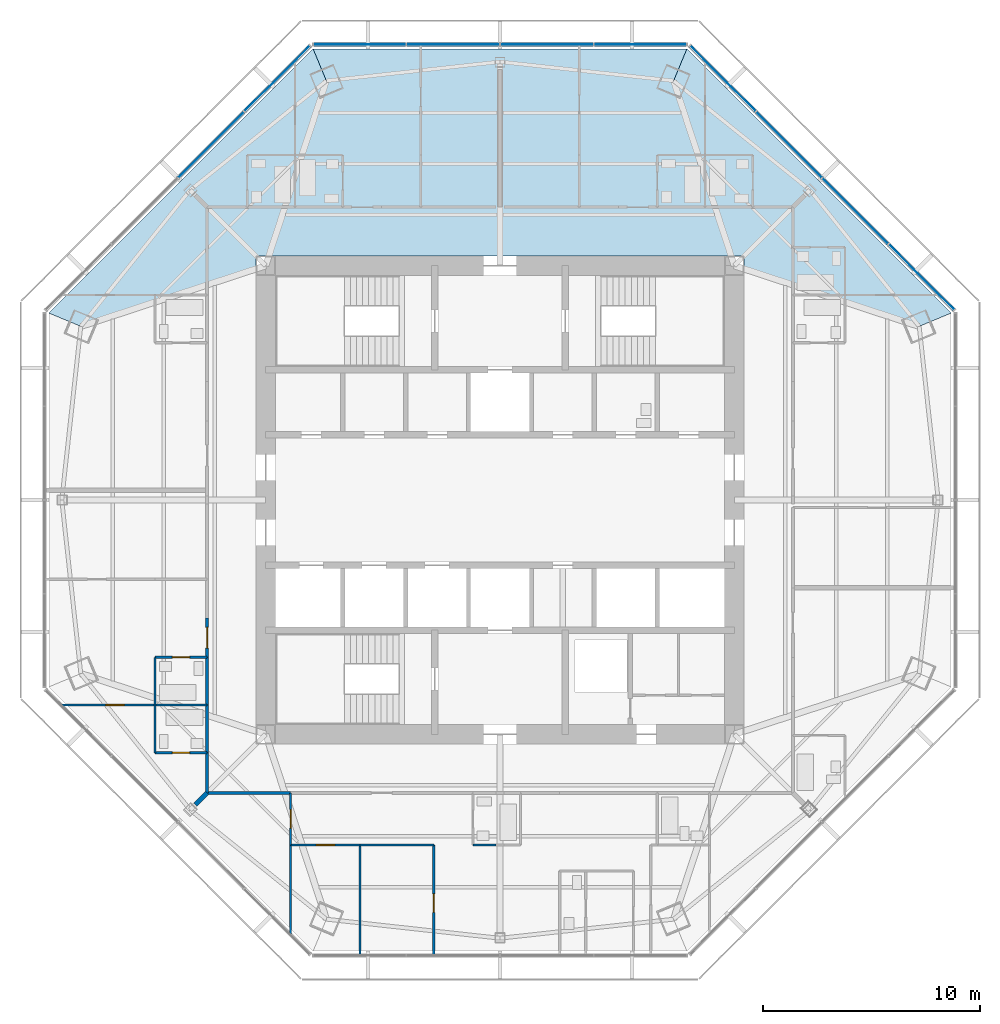
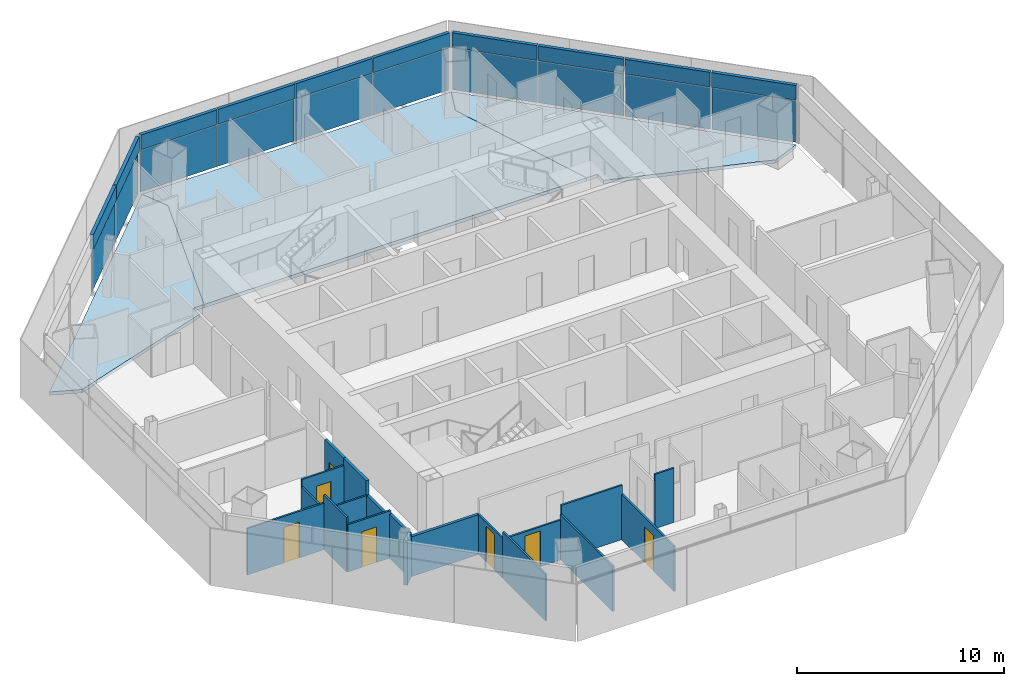
# One storey, part 8 of 15: 20 plates, 19 walls, 7 doors, 3 slabs, 7 openings, 3 elements without a shape of their own.
"""IFC4 building model written with IfcOpenShell, lengths in metres."""

from ifc_helpers import new_model, si_unit, direction, frame, frame_2d, origin, origin_2d, place, context, subcontext, project, spatial, polyline, rectangle, outline, extrude, source, transform, mapped, material, layer, layer_set, type_object, type_shapes, element, fill, aggregate, save


model = new_model("IFC4")

# Units and contexts
model_context = context("Model", 3, precision=1e-05, world=origin(), true_north=direction((0.0, 1.0)))
body_context = subcontext(model_context, "Body", "Model", "MODEL_VIEW")
ifc_project = project(units=[si_unit("LENGTHUNIT", "METRE"), si_unit("AREAUNIT", "SQUARE_METRE"), si_unit("VOLUMEUNIT", "CUBIC_METRE"), si_unit("PLANEANGLEUNIT", "RADIAN"), si_unit("MASSUNIT", "GRAM", prefix="KILO")], contexts=[model_context])

# Site, building, storey
site_placement = place(None, origin())
site = spatial("IfcSite", under=ifc_project, at=site_placement, CompositionType="ELEMENT")
building_placement = place(site_placement, origin())
building = spatial("IfcBuilding", under=site, at=building_placement, Name="Mashrafa Tower", CompositionType="ELEMENT")
storey_placement = place(building_placement, frame((0.0, 0.0, 248.199951171875)))
storey = spatial("IfcBuildingStorey", under=building, at=storey_placement, Name="L59", CompositionType="ELEMENT", Elevation=248.199951171875)

# Slabs
ifc_material_1 = material(Name="Concrete C35/45", Category="concrete")
ifc_layer_1 = layer(ifc_material_1, 0.199951171875)
ifc_layer_set_1 = layer_set([ifc_layer_1], Name="Floor slab 200")
slab_type = type_object("IfcSlabType", Name="Floor slab 200", PredefinedType="FLOOR", material=ifc_layer_set_1)
slab_1_placement = place(storey_placement, frame((0.0, 0.0, -0.199951171875)))
element("IfcSlab", 1, at=slab_1_placement, inside=storey, type_object=slab_type, Name="Floor slab L59 north-east bay", PredefinedType="FLOOR", context=body_context, shape_type="SweptSolid", body=[
    extrude(outline(polyline([(20.79345703125, 8.613037109375), (19.32080078125, 8.0029296875), (11.25, 10.65234375), (11.25, 11.25), (10.65234375, 11.25), (8.0029296875, 19.32080078125), (8.613037109375, 20.79345703125), (20.79345703125, 8.613037109375)])), origin(), (0.0, 0.0, 1.0), 0.199951171875),
])
slab_2_placement = place(storey_placement, frame((0.0, 0.0, -0.199951171875)))
element("IfcSlab", 2, at=slab_2_placement, inside=storey, type_object=slab_type, Name="Floor slab L59 north bay", PredefinedType="FLOOR", context=body_context, shape_type="SweptSolid", body=[
    extrude(outline(polyline([(-8.613037109375, 20.79345703125), (8.613037109375, 20.79345703125), (8.613037109375, 20.79345703125), (8.0029296875, 19.32080078125), (10.65234375, 11.25), (-10.65234375, 11.25), (-8.0029296875, 19.32080078125), (-8.613037109375, 20.79345703125), (-8.613037109375, 20.79345703125)])), origin(), (0.0, 0.0, 1.0), 0.199951171875),
])
slab_3_placement = place(storey_placement, frame((0.0, 0.0, -0.199951171875)))
element("IfcSlab", 3, at=slab_3_placement, inside=storey, type_object=slab_type, Name="Floor slab L59 north-west bay", PredefinedType="FLOOR", context=body_context, shape_type="SweptSolid", body=[
    extrude(outline(polyline([(-8.613037109375, 20.79345703125), (-8.0029296875, 19.32080078125), (-10.65234375, 11.25), (-11.25, 11.25), (-11.25, 10.65234375), (-19.32080078125, 8.0029296875), (-20.79345703125, 8.613037109375), (-8.613037109375, 20.79345703125)])), origin(), (0.0, 0.0, 1.0), 0.199951171875),
])

# Curtain wall, plates
ifc_material_2 = material(Name="Unitised aluminium curtain wall", Category="aluminium")
curtain_wall_type = type_object("IfcCurtainWallType", Name="Apartment curtain wall, zone 3 CW-C 180 deep", PredefinedType="NOTDEFINED", material=ifc_material_2)
curtain_wall_1_placement = place(storey_placement, origin())
curtain_wall_1 = element("IfcCurtainWall", 4, at=curtain_wall_1_placement, inside=storey, type_object=curtain_wall_type, Name="Apartment curtain wall, zone 3 L59 north-east", PredefinedType="NOTDEFINED")
ifc_material_3 = material(Name="Insulated double glazing, acoustic", Category="glass")
ifc_layer_2 = layer(ifc_material_3, 0.028076171875)
ifc_layer_set_2 = layer_set([ifc_layer_2], Name="Vision panel CW-C 28")
plate_type_1 = type_object("IfcPlateType", Name="Vision panel CW-C 28", PredefinedType="CURTAIN_PANEL", material=ifc_layer_set_2)
shared_shape_1 = source(origin(), body_context, "Body", "SweptSolid", [
    extrude(rectangle(XDim=4.234375, YDim=0.028076171875, at=origin_2d()), origin(), (0.0, 0.0, 1.0), 2.46240234375),
])
plate_1_placement = place(storey_placement, frame((19.420654296875, 10.268798828125, 0.0), z_axis=(0.0, 0.0, 1.0), x_axis=(-0.707106781187, 0.707106781187, 0.0)))
plate_1 = element("IfcPlate", 5, at=plate_1_placement, type_object=plate_type_1, Name="CW-C vision panel 1", PredefinedType="CURTAIN_PANEL", context=body_context, shape_type="MappedRepresentation", body=[
    mapped(shared_shape_1, transform((0.0, 0.0, 0.0))),
])
plate_2_placement = place(storey_placement, frame((10.268798828125, 19.420654296875, 0.0), z_axis=(0.0, 0.0, 1.0), x_axis=(-0.707106781187, 0.707106781187, 0.0)))
plate_2 = element("IfcPlate", 6, at=plate_2_placement, type_object=plate_type_1, Name="CW-C vision panel 4", PredefinedType="CURTAIN_PANEL", context=body_context, shape_type="MappedRepresentation", body=[
    mapped(shared_shape_1, transform((0.0, 0.0, 0.0))),
])

curtain_wall_2_placement = place(storey_placement, origin())
curtain_wall_2 = element("IfcCurtainWall", 7, at=curtain_wall_2_placement, inside=storey, type_object=curtain_wall_type, Name="Apartment curtain wall, zone 3 L59 north", PredefinedType="NOTDEFINED")
plate_3_placement = place(storey_placement, frame((6.471435546875, 20.993408203125, 0.0), z_axis=(0.0, 0.0, 1.0), x_axis=(-1.0, 0.0, 0.0)))
plate_3 = element("IfcPlate", 8, at=plate_3_placement, type_object=plate_type_1, Name="CW-C vision panel 1", PredefinedType="CURTAIN_PANEL", context=body_context, shape_type="MappedRepresentation", body=[
    mapped(shared_shape_1, transform((0.0, 0.0, 0.0))),
])
plate_4_placement = place(storey_placement, frame((-6.471435546875, 20.993408203125, 0.0), z_axis=(0.0, 0.0, 1.0), x_axis=(-1.0, 0.0, 0.0)))
plate_4 = element("IfcPlate", 9, at=plate_4_placement, type_object=plate_type_1, Name="CW-C vision panel 4", PredefinedType="CURTAIN_PANEL", context=body_context, shape_type="MappedRepresentation", body=[
    mapped(shared_shape_1, transform((0.0, 0.0, 0.0))),
])

# Curtain wall, plate
curtain_wall_3_placement = place(storey_placement, origin())
curtain_wall_3 = element("IfcCurtainWall", 10, at=curtain_wall_3_placement, inside=storey, type_object=curtain_wall_type, Name="Apartment curtain wall, zone 3 L59 north-west", PredefinedType="NOTDEFINED")
plate_5_placement = place(storey_placement, frame((-10.268798828125, 19.420654296875, 0.0), z_axis=(0.0, 0.0, 1.0), x_axis=(-0.707106781187, -0.707106781187, 0.0)))
plate_5 = element("IfcPlate", 11, at=plate_5_placement, type_object=plate_type_1, Name="CW-C vision panel 1", PredefinedType="CURTAIN_PANEL", context=body_context, shape_type="MappedRepresentation", body=[
    mapped(shared_shape_1, transform((0.0, 0.0, 0.0))),
])

# Plate
ifc_material_4 = material(Name="Insulated bronze aluminium spandrel panel", Category="aluminium")
ifc_layer_3 = layer(ifc_material_4, 0.179931640625)
ifc_layer_set_3 = layer_set([ifc_layer_3], Name="Spandrel panel CW-C 180")
plate_type_2 = type_object("IfcPlateType", Name="Spandrel panel CW-C 180", PredefinedType="CURTAIN_PANEL", material=ifc_layer_set_3)
shared_shape_2 = source(origin(), body_context, "Body", "SweptSolid", [
    extrude(rectangle(XDim=4.234375, YDim=0.179931640625, at=origin_2d()), origin(), (0.0, 0.0, 1.0), 0.862548828125),
])
plate_6_placement = place(storey_placement, frame((19.420654296875, 10.268798828125, 2.53759765625), z_axis=(0.0, 0.0, 1.0), x_axis=(-0.707106781187, 0.707106781187, 0.0)))
plate_6 = element("IfcPlate", 12, at=plate_6_placement, type_object=plate_type_2, Name="CW-C spandrel panel 1", PredefinedType="CURTAIN_PANEL", context=body_context, shape_type="MappedRepresentation", body=[
    mapped(shared_shape_2, transform((0.0, 0.0, 0.0))),
])

plate_7_placement = place(storey_placement, frame((10.268798828125, 19.420654296875, 2.53759765625), z_axis=(0.0, 0.0, 1.0), x_axis=(-0.707106781187, 0.707106781187, 0.0)))
plate_7 = element("IfcPlate", 13, at=plate_7_placement, type_object=plate_type_2, Name="CW-C spandrel panel 4", PredefinedType="CURTAIN_PANEL", context=body_context, shape_type="MappedRepresentation", body=[
    mapped(shared_shape_2, transform((0.0, 0.0, 0.0))),
])

plate_8_placement = place(storey_placement, frame((6.471435546875, 20.993408203125, 2.53759765625), z_axis=(0.0, 0.0, 1.0), x_axis=(-1.0, 0.0, 0.0)))
plate_8 = element("IfcPlate", 14, at=plate_8_placement, type_object=plate_type_2, Name="CW-C spandrel panel 1", PredefinedType="CURTAIN_PANEL", context=body_context, shape_type="MappedRepresentation", body=[
    mapped(shared_shape_2, transform((0.0, 0.0, 0.0))),
])

plate_9_placement = place(storey_placement, frame((-6.471435546875, 20.993408203125, 2.53759765625), z_axis=(0.0, 0.0, 1.0), x_axis=(-1.0, 0.0, 0.0)))
plate_9 = element("IfcPlate", 15, at=plate_9_placement, type_object=plate_type_2, Name="CW-C spandrel panel 4", PredefinedType="CURTAIN_PANEL", context=body_context, shape_type="MappedRepresentation", body=[
    mapped(shared_shape_2, transform((0.0, 0.0, 0.0))),
])

plate_10_placement = place(storey_placement, frame((-10.268798828125, 19.420654296875, 2.53759765625), z_axis=(0.0, 0.0, 1.0), x_axis=(-0.707106781187, -0.707106781187, 0.0)))
plate_10 = element("IfcPlate", 16, at=plate_10_placement, type_object=plate_type_2, Name="CW-C spandrel panel 1", PredefinedType="CURTAIN_PANEL", context=body_context, shape_type="MappedRepresentation", body=[
    mapped(shared_shape_2, transform((0.0, 0.0, 0.0))),
])

shared_shape_3 = source(origin(), body_context, "Body", "SweptSolid", [
    extrude(rectangle(XDim=4.26416015625, YDim=0.028076171875, at=origin_2d()), origin(), (0.0, 0.0, 1.0), 2.46240234375),
])
type_shapes(plate_type_1, [shared_shape_1, shared_shape_3])
plate_11_placement = place(storey_placement, frame((16.37353515625, 13.315673828125, 0.0), z_axis=(0.0, 0.0, 1.0), x_axis=(-0.707106781187, 0.707106781187, 0.0)))
plate_11 = element("IfcPlate", 17, at=plate_11_placement, type_object=plate_type_1, Name="CW-C vision panel 2", PredefinedType="CURTAIN_PANEL", context=body_context, shape_type="MappedRepresentation", body=[
    mapped(shared_shape_3, transform((0.0, 0.0, 0.0))),
])

plate_12_placement = place(storey_placement, frame((13.315673828125, 16.37353515625, 0.0), z_axis=(0.0, 0.0, 1.0), x_axis=(-0.707106781187, 0.707106781187, 0.0)))
plate_12 = element("IfcPlate", 18, at=plate_12_placement, type_object=plate_type_1, Name="CW-C vision panel 3", PredefinedType="CURTAIN_PANEL", context=body_context, shape_type="MappedRepresentation", body=[
    mapped(shared_shape_3, transform((0.0, 0.0, 0.0))),
])

plate_13_placement = place(storey_placement, frame((2.162109375, 20.993408203125, 0.0), z_axis=(0.0, 0.0, 1.0), x_axis=(-1.0, 0.0, 0.0)))
plate_13 = element("IfcPlate", 19, at=plate_13_placement, type_object=plate_type_1, Name="CW-C vision panel 2", PredefinedType="CURTAIN_PANEL", context=body_context, shape_type="MappedRepresentation", body=[
    mapped(shared_shape_3, transform((0.0, 0.0, 0.0))),
])

plate_14_placement = place(storey_placement, frame((-2.162109375, 20.993408203125, 0.0), z_axis=(0.0, 0.0, 1.0), x_axis=(-1.0, 0.0, 0.0)))
plate_14 = element("IfcPlate", 20, at=plate_14_placement, type_object=plate_type_1, Name="CW-C vision panel 3", PredefinedType="CURTAIN_PANEL", context=body_context, shape_type="MappedRepresentation", body=[
    mapped(shared_shape_3, transform((0.0, 0.0, 0.0))),
])

plate_15_placement = place(storey_placement, frame((-13.315673828125, 16.37353515625, 0.0), z_axis=(0.0, 0.0, 1.0), x_axis=(-0.707106781187, -0.707106781187, 0.0)))
plate_15 = element("IfcPlate", 21, at=plate_15_placement, type_object=plate_type_1, Name="CW-C vision panel 2", PredefinedType="CURTAIN_PANEL", context=body_context, shape_type="MappedRepresentation", body=[
    mapped(shared_shape_3, transform((0.0, 0.0, 0.0))),
])

shared_shape_4 = source(origin(), body_context, "Body", "SweptSolid", [
    extrude(rectangle(XDim=4.26416015625, YDim=0.179931640625, at=origin_2d()), origin(), (0.0, 0.0, 1.0), 0.862548828125),
])
type_shapes(plate_type_2, [shared_shape_2, shared_shape_4])
plate_16_placement = place(storey_placement, frame((16.37353515625, 13.315673828125, 2.53759765625), z_axis=(0.0, 0.0, 1.0), x_axis=(-0.707106781187, 0.707106781187, 0.0)))
plate_16 = element("IfcPlate", 22, at=plate_16_placement, type_object=plate_type_2, Name="CW-C spandrel panel 2", PredefinedType="CURTAIN_PANEL", context=body_context, shape_type="MappedRepresentation", body=[
    mapped(shared_shape_4, transform((0.0, 0.0, 0.0))),
])

plate_17_placement = place(storey_placement, frame((13.315673828125, 16.37353515625, 2.53759765625), z_axis=(0.0, 0.0, 1.0), x_axis=(-0.707106781187, 0.707106781187, 0.0)))
plate_17 = element("IfcPlate", 23, at=plate_17_placement, type_object=plate_type_2, Name="CW-C spandrel panel 3", PredefinedType="CURTAIN_PANEL", context=body_context, shape_type="MappedRepresentation", body=[
    mapped(shared_shape_4, transform((0.0, 0.0, 0.0))),
])

aggregate(curtain_wall_1, [plate_1, plate_6, plate_11, plate_16, plate_12, plate_17, plate_2, plate_7])

plate_18_placement = place(storey_placement, frame((2.162109375, 20.993408203125, 2.53759765625), z_axis=(0.0, 0.0, 1.0), x_axis=(-1.0, 0.0, 0.0)))
plate_18 = element("IfcPlate", 24, at=plate_18_placement, type_object=plate_type_2, Name="CW-C spandrel panel 2", PredefinedType="CURTAIN_PANEL", context=body_context, shape_type="MappedRepresentation", body=[
    mapped(shared_shape_4, transform((0.0, 0.0, 0.0))),
])

plate_19_placement = place(storey_placement, frame((-2.162109375, 20.993408203125, 2.53759765625), z_axis=(0.0, 0.0, 1.0), x_axis=(-1.0, 0.0, 0.0)))
plate_19 = element("IfcPlate", 25, at=plate_19_placement, type_object=plate_type_2, Name="CW-C spandrel panel 3", PredefinedType="CURTAIN_PANEL", context=body_context, shape_type="MappedRepresentation", body=[
    mapped(shared_shape_4, transform((0.0, 0.0, 0.0))),
])

aggregate(curtain_wall_2, [plate_3, plate_8, plate_13, plate_18, plate_14, plate_19, plate_4, plate_9])

plate_20_placement = place(storey_placement, frame((-13.315673828125, 16.37353515625, 2.53759765625), z_axis=(0.0, 0.0, 1.0), x_axis=(-0.707106781187, -0.707106781187, 0.0)))
plate_20 = element("IfcPlate", 26, at=plate_20_placement, type_object=plate_type_2, Name="CW-C spandrel panel 2", PredefinedType="CURTAIN_PANEL", context=body_context, shape_type="MappedRepresentation", body=[
    mapped(shared_shape_4, transform((0.0, 0.0, 0.0))),
])

aggregate(curtain_wall_3, [plate_5, plate_10, plate_15, plate_20])

# Walls
ifc_material_5 = material(Name="Gypsum board on steel studs", Category="steel")
ifc_layer_4 = layer(ifc_material_5, 0.199951171875)
ifc_layer_set_4 = layer_set([ifc_layer_4], Name="Acoustic partition 200 1 hr")
wall_type_1 = type_object("IfcWallType", Name="Acoustic partition 200 1 hr", PredefinedType="PARTITIONING", material=ifc_layer_set_4)
wall_1_placement = place(storey_placement, frame((-14.038330078125, -14.038330078125, 0.0), z_axis=(0.0, 0.0, 1.0), x_axis=(0.707106781187, 0.707106781187, 0.0)))
element("IfcWall", 27, at=wall_1_placement, inside=storey, type_object=wall_type_1, Name="Acoustic wall L59-086", PredefinedType="PARTITIONING", context=body_context, shape_type="SweptSolid", body=[
    extrude(rectangle(XDim=0.76123046875, YDim=0.199951171875, at=frame_2d((0.380615234375, 0.0))), origin(), (0.0, 0.0, 1.0), 2.588134765625),
])
ifc_material_6 = material(Name="Gypsum board on steel studs", Category="steel")
ifc_layer_5 = layer(ifc_material_6, 0.14990234375)
ifc_layer_set_5 = layer_set([ifc_layer_5], Name="Corridor partition 150 1 hr")
wall_type_2 = type_object("IfcWallType", Name="Corridor partition 150 1 hr", PredefinedType="PARTITIONING", material=ifc_layer_set_5)
wall_2_placement = place(storey_placement, frame((-13.5, -9.448974609375, 0.0), z_axis=(0.0, 0.0, 1.0), x_axis=(0.0, -1.0, 0.0)))
element("IfcWall", 28, at=wall_2_placement, inside=storey, type_object=wall_type_2, Name="Corridor wall L59-030", PredefinedType="PARTITIONING", context=body_context, shape_type="SweptSolid", body=[
    extrude(rectangle(XDim=2.201904296875, YDim=0.14990234375, at=frame_2d((1.10107421875, 0.0))), origin(), (0.0, 0.0, 1.0), 2.349365234375),
])
wall_3_placement = place(storey_placement, frame((-13.5, -11.64892578125, 0.0), z_axis=(0.0, 0.0, 1.0), x_axis=(0.0, -1.0, 0.0)))
element("IfcWall", 29, at=wall_3_placement, inside=storey, type_object=wall_type_2, Name="Corridor wall L59-031", PredefinedType="PARTITIONING", context=body_context, shape_type="SweptSolid", body=[
    extrude(rectangle(XDim=1.85107421875, YDim=0.14990234375, at=frame_2d((0.925537109375, 0.0))), origin(), (0.0, 0.0, 1.0), 2.588134765625),
])
wall_4_placement = place(storey_placement, frame((-13.5, -7.2490234375, 0.0), z_axis=(0.0, 0.0, 1.0), x_axis=(0.0, -1.0, 0.0)))
element("IfcWall", 30, at=wall_4_placement, inside=storey, type_object=wall_type_2, Name="Corridor wall L59-032", PredefinedType="PARTITIONING", context=body_context, shape_type="SweptSolid", body=[
    extrude(rectangle(XDim=2.201904296875, YDim=0.14990234375, at=frame_2d((1.10107421875, 0.0))), origin(), (0.0, 0.0, 1.0), 3.199951171875),
])

# Wall, opening, door
wall_5_placement = place(storey_placement, frame((-13.5, -5.448974609375, 0.0), z_axis=(0.0, 0.0, 1.0), x_axis=(0.0, -1.0, 0.0)))
wall_5 = element("IfcWall", 31, at=wall_5_placement, inside=storey, type_object=wall_type_2, Name="Corridor wall L59-037", PredefinedType="PARTITIONING", context=body_context, shape_type="SweptSolid", body=[
    extrude(rectangle(XDim=1.802001953125, YDim=0.14990234375, at=frame_2d((0.90087890625, 0.0))), origin(), (0.0, 0.0, 1.0), 3.199951171875),
])
opening_1_placement = place(wall_5_placement, frame((0.426025390625, 0.0, 0.0)))
opening_1 = element("IfcOpeningElement", 32, at=opening_1_placement, cuts=wall_5, Name="Opening 59.025", PredefinedType="OPENING", context=body_context, shape_type="SweptSolid", body=[
    extrude(rectangle(XDim=0.949951171875, YDim=2.10009765625, at=frame_2d((0.47509765625, 1.050048828125))), frame((0.0, 0.0849609375, 0.0), z_axis=(0.0, -1.0, 0.0), x_axis=(1.0, 0.0, 0.0)), (0.0, 0.0, 1.0), 0.169921875),
])
ifc_material_7 = material(Name="Steel door", Category="steel")
door_type_1 = type_object("IfcDoorType", Name="Residence entrance door 950 x 2100 20 min", OperationType="USERDEFINED", PredefinedType="DOOR", material=ifc_material_7)
door_1_placement = place(opening_1_placement, frame((0.949951171875, 0.0, 0.0), z_axis=(0.0, 0.0, 1.0), x_axis=(-1.0, 0.0, 0.0)))
door_1 = element("IfcDoor", 33, at=door_1_placement, inside=storey, type_object=door_type_1, Name="Apartment 5906 Living Room door", OperationType="SINGLE_SWING_RIGHT", OverallHeight=2.10009765625, OverallWidth=0.949951171875, PredefinedType="DOOR", context=body_context, shape_type="SweptSolid", body=[
    extrude(rectangle(XDim=0.949951171875, YDim=2.10009765625, at=frame_2d((0.47509765625, 1.050048828125))), frame((0.0, 0.02490234375, 0.0), z_axis=(0.0, -1.0, 0.0), x_axis=(1.0, 0.0, 0.0)), (0.0, 0.0, 1.0), 0.050048828125),
])
fill(opening_1, door_1)

# Walls
wall_6_placement = place(storey_placement, frame((-13.5, -13.5, 0.0), z_axis=(0.0, 0.0, 1.0), x_axis=(1.0, 0.0, 0.0)))
element("IfcWall", 34, at=wall_6_placement, inside=storey, type_object=wall_type_2, Name="Corridor wall L59-038", PredefinedType="PARTITIONING", context=body_context, shape_type="SweptSolid", body=[
    extrude(rectangle(XDim=3.85107421875, YDim=0.14990234375, at=frame_2d((1.925537109375, 0.0))), origin(), (0.0, 0.0, 1.0), 2.349365234375),
])
ifc_material_8 = material(Name="Gypsum board on steel studs", Category="steel")
ifc_layer_6 = layer(ifc_material_8, 0.10009765625)
ifc_layer_set_6 = layer_set([ifc_layer_6], Name="Partition 100")
wall_type_3 = type_object("IfcWallType", Name="Partition 100", PredefinedType="PARTITIONING", material=ifc_layer_set_6)
wall_7_placement = place(storey_placement, frame((-15.89990234375, -9.449951171875, 0.0), z_axis=(0.0, 0.0, 1.0), x_axis=(0.0, -1.0, 0.0)))
element("IfcWall", 35, at=wall_7_placement, inside=storey, type_object=wall_type_3, Name="Partition wall L59-082", PredefinedType="PARTITIONING", context=body_context, shape_type="SweptSolid", body=[
    extrude(rectangle(XDim=2.199951171875, YDim=0.10009765625, at=frame_2d((1.10009765625, 0.0))), origin(), (0.0, 0.0, 1.0), 3.199951171875),
])

# Wall, opening, door
wall_8_placement = place(storey_placement, frame((-15.89990234375, -11.64990234375, 0.0), z_axis=(0.0, 0.0, 1.0), x_axis=(1.0, 0.0, 0.0)))
wall_8 = element("IfcWall", 36, at=wall_8_placement, inside=storey, type_object=wall_type_3, Name="Partition wall L59-083", PredefinedType="PARTITIONING", context=body_context, shape_type="SweptSolid", body=[
    extrude(rectangle(XDim=2.39990234375, YDim=0.10009765625, at=frame_2d((1.199951171875, 0.0))), origin(), (0.0, 0.0, 1.0), 2.7861328125),
])
opening_2_placement = place(wall_8_placement, frame((0.800048828125, 0.0, 0.0)))
opening_2 = element("IfcOpeningElement", 37, at=opening_2_placement, cuts=wall_8, Name="Opening 59.021", PredefinedType="OPENING", context=body_context, shape_type="SweptSolid", body=[
    extrude(rectangle(XDim=0.800048828125, YDim=2.10009765625, at=frame_2d((0.39990234375, 1.050048828125))), frame((0.0, 0.06005859375, 0.0), z_axis=(0.0, -1.0, 0.0), x_axis=(1.0, 0.0, 0.0)), (0.0, 0.0, 1.0), 0.1201171875),
])
ifc_material_9 = material(Name="Timber door", Category="wood")
door_type_2 = type_object("IfcDoorType", Name="Bathroom door 800 x 2100", OperationType="USERDEFINED", PredefinedType="DOOR", material=ifc_material_9)
door_2_placement = place(opening_2_placement, origin())
door_2 = element("IfcDoor", 38, at=door_2_placement, inside=storey, type_object=door_type_2, Name="Apartment 5906 En-suite Bathroom door", OperationType="SINGLE_SWING_LEFT", OverallHeight=2.10009765625, OverallWidth=0.800048828125, PredefinedType="DOOR", context=body_context, shape_type="SweptSolid", body=[
    extrude(rectangle(XDim=0.800048828125, YDim=2.10009765625, at=frame_2d((0.39990234375, 1.050048828125))), frame((0.0, 0.02490234375, 0.0), z_axis=(0.0, -1.0, 0.0), x_axis=(1.0, 0.0, 0.0)), (0.0, 0.0, 1.0), 0.050048828125),
])
fill(opening_2, door_2)

# Wall
wall_9_placement = place(storey_placement, frame((-13.5, -9.449951171875, 0.0), z_axis=(0.0, 0.0, 1.0), x_axis=(-1.0, 0.0, 0.0)))
element("IfcWall", 39, at=wall_9_placement, inside=storey, type_object=wall_type_3, Name="Partition wall L59-084", PredefinedType="PARTITIONING", context=body_context, shape_type="SweptSolid", body=[
    extrude(rectangle(XDim=2.39990234375, YDim=0.10009765625, at=frame_2d((1.199951171875, 0.0))), origin(), (0.0, 0.0, 1.0), 2.349365234375),
])

# Wall, opening, door
wall_10_placement = place(storey_placement, frame((-15.89990234375, -9.449951171875, 0.0), z_axis=(0.0, 0.0, 1.0), x_axis=(-1.0, 0.0, 0.0)))
wall_10 = element("IfcWall", 40, at=wall_10_placement, inside=storey, type_object=wall_type_3, Name="Partition wall L59-085", PredefinedType="PARTITIONING", context=body_context, shape_type="SweptSolid", body=[
    extrude(rectangle(XDim=4.317626953125, YDim=0.10009765625, at=frame_2d((2.15869140625, 0.0))), origin(), (0.0, 0.0, 1.0), 2.740478515625),
])
opening_3_placement = place(wall_10_placement, frame((1.426513671875, 0.0, 0.0)))
opening_3 = element("IfcOpeningElement", 41, at=opening_3_placement, cuts=wall_10, Name="Opening 59.022", PredefinedType="OPENING", context=body_context, shape_type="SweptSolid", body=[
    extrude(rectangle(XDim=0.85009765625, YDim=2.10009765625, at=frame_2d((0.425048828125, 1.050048828125))), frame((0.0, 0.06005859375, 0.0), z_axis=(0.0, -1.0, 0.0), x_axis=(1.0, 0.0, 0.0)), (0.0, 0.0, 1.0), 0.1201171875),
])
ifc_material_10 = material(Name="Timber door", Category="wood")
door_type_3 = type_object("IfcDoorType", Name="Bedroom door 850 x 2100", OperationType="USERDEFINED", PredefinedType="DOOR", material=ifc_material_10)
door_3_placement = place(opening_3_placement, origin())
door_3 = element("IfcDoor", 42, at=door_3_placement, inside=storey, type_object=door_type_3, Name="Apartment 5906 Bedroom 1 door", OperationType="SINGLE_SWING_RIGHT", OverallHeight=2.10009765625, OverallWidth=0.85009765625, PredefinedType="DOOR", context=body_context, shape_type="SweptSolid", body=[
    extrude(rectangle(XDim=0.85009765625, YDim=2.10009765625, at=frame_2d((0.425048828125, 1.050048828125))), frame((0.0, 0.02490234375, 0.0), z_axis=(0.0, -1.0, 0.0), x_axis=(1.0, 0.0, 0.0)), (0.0, 0.0, 1.0), 0.050048828125),
])
fill(opening_3, door_3)

wall_11_placement = place(storey_placement, frame((-13.5, -7.25, 0.0), z_axis=(0.0, 0.0, 1.0), x_axis=(-1.0, 0.0, 0.0)))
wall_11 = element("IfcWall", 43, at=wall_11_placement, inside=storey, type_object=wall_type_3, Name="Partition wall L59-087", PredefinedType="PARTITIONING", context=body_context, shape_type="SweptSolid", body=[
    extrude(rectangle(XDim=2.39990234375, YDim=0.10009765625, at=frame_2d((1.199951171875, 0.0))), origin(), (0.0, 0.0, 1.0), 2.78369140625),
])
opening_4_placement = place(wall_11_placement, frame((0.800048828125, 0.0, 0.0)))
opening_4 = element("IfcOpeningElement", 44, at=opening_4_placement, cuts=wall_11, Name="Opening 59.023", PredefinedType="OPENING", context=body_context, shape_type="SweptSolid", body=[
    extrude(rectangle(XDim=0.800048828125, YDim=2.10009765625, at=frame_2d((0.39990234375, 1.050048828125))), frame((0.0, 0.06005859375, 0.0), z_axis=(0.0, -1.0, 0.0), x_axis=(1.0, 0.0, 0.0)), (0.0, 0.0, 1.0), 0.1201171875),
])
door_4_placement = place(opening_4_placement, origin())
door_4 = element("IfcDoor", 45, at=door_4_placement, inside=storey, type_object=door_type_2, Name="Apartment 5906 Bathroom door", OperationType="SINGLE_SWING_RIGHT", OverallHeight=2.10009765625, OverallWidth=0.800048828125, PredefinedType="DOOR", context=body_context, shape_type="SweptSolid", body=[
    extrude(rectangle(XDim=0.800048828125, YDim=2.10009765625, at=frame_2d((0.39990234375, 1.050048828125))), frame((0.0, 0.02490234375, 0.0), z_axis=(0.0, -1.0, 0.0), x_axis=(1.0, 0.0, 0.0)), (0.0, 0.0, 1.0), 0.050048828125),
])
fill(opening_4, door_4)

# Walls
wall_12_placement = place(storey_placement, frame((-15.89990234375, -7.25, 0.0), z_axis=(0.0, 0.0, 1.0), x_axis=(0.0, -1.0, 0.0)))
element("IfcWall", 46, at=wall_12_placement, inside=storey, type_object=wall_type_3, Name="Partition wall L59-088", PredefinedType="PARTITIONING", context=body_context, shape_type="SweptSolid", body=[
    extrude(rectangle(XDim=2.199951171875, YDim=0.10009765625, at=frame_2d((1.10009765625, 0.0))), origin(), (0.0, 0.0, 1.0), 2.349365234375),
])
wall_13_placement = place(storey_placement, frame((-9.64990234375, -20.015380859375, 0.0), z_axis=(0.0, 0.0, 1.0), x_axis=(0.0, 1.0, 0.0)))
element("IfcWall", 47, at=wall_13_placement, inside=storey, type_object=wall_type_3, Name="Partition wall L59-091", PredefinedType="PARTITIONING", context=body_context, shape_type="SweptSolid", body=[
    extrude(rectangle(XDim=4.116455078125, YDim=0.10009765625, at=frame_2d((2.05810546875, 0.0))), origin(), (0.0, 0.0, 1.0), 2.740478515625),
])

# Wall, opening, door
wall_14_placement = place(storey_placement, frame((-9.64990234375, -15.90087890625, 0.0), z_axis=(0.0, 0.0, 1.0), x_axis=(0.0, 1.0, 0.0)))
wall_14 = element("IfcWall", 48, at=wall_14_placement, inside=storey, type_object=wall_type_3, Name="Partition wall L59-092", PredefinedType="PARTITIONING", context=body_context, shape_type="SweptSolid", body=[
    extrude(rectangle(XDim=2.40087890625, YDim=0.10009765625, at=frame_2d((1.200439453125, 0.0))), origin(), (0.0, 0.0, 1.0), 2.349365234375),
])
opening_5_placement = place(wall_14_placement, frame((0.775390625, 0.0, 0.0)))
opening_5 = element("IfcOpeningElement", 49, at=opening_5_placement, cuts=wall_14, Name="Opening 59.026", PredefinedType="OPENING", context=body_context, shape_type="SweptSolid", body=[
    extrude(rectangle(XDim=0.85009765625, YDim=2.10009765625, at=frame_2d((0.425048828125, 1.050048828125))), frame((0.0, 0.06005859375, 0.0), z_axis=(0.0, -1.0, 0.0), x_axis=(1.0, 0.0, 0.0)), (0.0, 0.0, 1.0), 0.1201171875),
])
door_5_placement = place(opening_5_placement, origin())
door_5 = element("IfcDoor", 50, at=door_5_placement, inside=storey, type_object=door_type_3, Name="Apartment 5907 Bedroom 1 door", OperationType="SINGLE_SWING_RIGHT", OverallHeight=2.10009765625, OverallWidth=0.85009765625, PredefinedType="DOOR", context=body_context, shape_type="SweptSolid", body=[
    extrude(rectangle(XDim=0.85009765625, YDim=2.10009765625, at=frame_2d((0.425048828125, 1.050048828125))), frame((0.0, 0.02490234375, 0.0), z_axis=(0.0, -1.0, 0.0), x_axis=(1.0, 0.0, 0.0)), (0.0, 0.0, 1.0), 0.050048828125),
])
fill(opening_5, door_5)

# Wall
wall_15_placement = place(storey_placement, frame((-6.449951171875, -20.9755859375, 0.0), z_axis=(0.0, 0.0, 1.0), x_axis=(0.0, 1.0, 0.0)))
element("IfcWall", 51, at=wall_15_placement, inside=storey, type_object=wall_type_3, Name="Partition wall L59-093", PredefinedType="PARTITIONING", context=body_context, shape_type="SweptSolid", body=[
    extrude(rectangle(XDim=5.07568359375, YDim=0.10009765625, at=frame_2d((2.537841796875, 0.0))), origin(), (0.0, 0.0, 1.0), 2.661865234375),
])

# Wall, opening, door
wall_16_placement = place(storey_placement, frame((-6.449951171875, -15.89990234375, 0.0), z_axis=(0.0, 0.0, 1.0), x_axis=(-1.0, 0.0, 0.0)))
wall_16 = element("IfcWall", 52, at=wall_16_placement, inside=storey, type_object=wall_type_3, Name="Partition wall L59-094", PredefinedType="PARTITIONING", context=body_context, shape_type="SweptSolid", body=[
    extrude(rectangle(XDim=3.199951171875, YDim=0.10009765625, at=frame_2d((1.60009765625, 0.0))), origin(), (0.0, 0.0, 1.0), 2.349365234375),
])
opening_6_placement = place(wall_16_placement, frame((1.175048828125, 0.0, 0.0)))
opening_6 = element("IfcOpeningElement", 53, at=opening_6_placement, cuts=wall_16, Name="Opening 59.027", PredefinedType="OPENING", context=body_context, shape_type="SweptSolid", body=[
    extrude(rectangle(XDim=0.85009765625, YDim=2.10009765625, at=frame_2d((0.425048828125, 1.050048828125))), frame((0.0, 0.06005859375, 0.0), z_axis=(0.0, -1.0, 0.0), x_axis=(1.0, 0.0, 0.0)), (0.0, 0.0, 1.0), 0.1201171875),
])
door_6_placement = place(opening_6_placement, origin())
door_6 = element("IfcDoor", 54, at=door_6_placement, inside=storey, type_object=door_type_3, Name="Apartment 5907 Bedroom 2 door", OperationType="SINGLE_SWING_RIGHT", OverallHeight=2.10009765625, OverallWidth=0.85009765625, PredefinedType="DOOR", context=body_context, shape_type="SweptSolid", body=[
    extrude(rectangle(XDim=0.85009765625, YDim=2.10009765625, at=frame_2d((0.425048828125, 1.050048828125))), frame((0.0, 0.02490234375, 0.0), z_axis=(0.0, -1.0, 0.0), x_axis=(1.0, 0.0, 0.0)), (0.0, 0.0, 1.0), 0.050048828125),
])
fill(opening_6, door_6)

wall_17_placement = place(storey_placement, frame((-3.050048828125, -20.9775390625, 0.0), z_axis=(0.0, 0.0, 1.0), x_axis=(0.0, 1.0, 0.0)))
wall_17 = element("IfcWall", 55, at=wall_17_placement, inside=storey, type_object=wall_type_3, Name="Partition wall L59-095", PredefinedType="PARTITIONING", context=body_context, shape_type="SweptSolid", body=[
    extrude(rectangle(XDim=5.07763671875, YDim=0.10009765625, at=frame_2d((2.538818359375, 0.0))), origin(), (0.0, 0.0, 1.0), 2.661865234375),
])
opening_7_placement = place(wall_17_placement, frame((1.9755859375, 0.0, 0.0)))
opening_7 = element("IfcOpeningElement", 56, at=opening_7_placement, cuts=wall_17, Name="Opening 59.028", PredefinedType="OPENING", context=body_context, shape_type="SweptSolid", body=[
    extrude(rectangle(XDim=0.85009765625, YDim=2.10009765625, at=frame_2d((0.425048828125, 1.050048828125))), frame((0.0, 0.06005859375, 0.0), z_axis=(0.0, -1.0, 0.0), x_axis=(1.0, 0.0, 0.0)), (0.0, 0.0, 1.0), 0.1201171875),
])
door_7_placement = place(opening_7_placement, origin())
door_7 = element("IfcDoor", 57, at=door_7_placement, inside=storey, type_object=door_type_3, Name="Apartment 5907 Majlis door", OperationType="SINGLE_SWING_LEFT", OverallHeight=2.10009765625, OverallWidth=0.85009765625, PredefinedType="DOOR", context=body_context, shape_type="SweptSolid", body=[
    extrude(rectangle(XDim=0.85009765625, YDim=2.10009765625, at=frame_2d((0.425048828125, 1.050048828125))), frame((0.0, 0.02490234375, 0.0), z_axis=(0.0, -1.0, 0.0), x_axis=(1.0, 0.0, 0.0)), (0.0, 0.0, 1.0), 0.050048828125),
])
fill(opening_7, door_7)

# Walls
wall_18_placement = place(storey_placement, frame((-3.050048828125, -15.89990234375, 0.0), z_axis=(0.0, 0.0, 1.0), x_axis=(-1.0, 0.0, 0.0)))
element("IfcWall", 58, at=wall_18_placement, inside=storey, type_object=wall_type_3, Name="Partition wall L59-096", PredefinedType="PARTITIONING", context=body_context, shape_type="SweptSolid", body=[
    extrude(rectangle(XDim=3.39990234375, YDim=0.10009765625, at=frame_2d((1.699951171875, 0.0))), origin(), (0.0, 0.0, 1.0), 3.199951171875),
])
wall_19_placement = place(storey_placement, frame((-1.25, -15.89990234375, 0.0), z_axis=(0.0, 0.0, 1.0), x_axis=(1.0, 0.0, 0.0)))
element("IfcWall", 59, at=wall_19_placement, inside=storey, type_object=wall_type_3, Name="Partition wall L59-099", PredefinedType="PARTITIONING", context=body_context, shape_type="SweptSolid", body=[
    extrude(rectangle(XDim=1.067626953125, YDim=0.10009765625, at=frame_2d((0.53369140625, 0.0))), origin(), (0.0, 0.0, 1.0), 3.199951171875),
])

save(model, "model.ifc")
